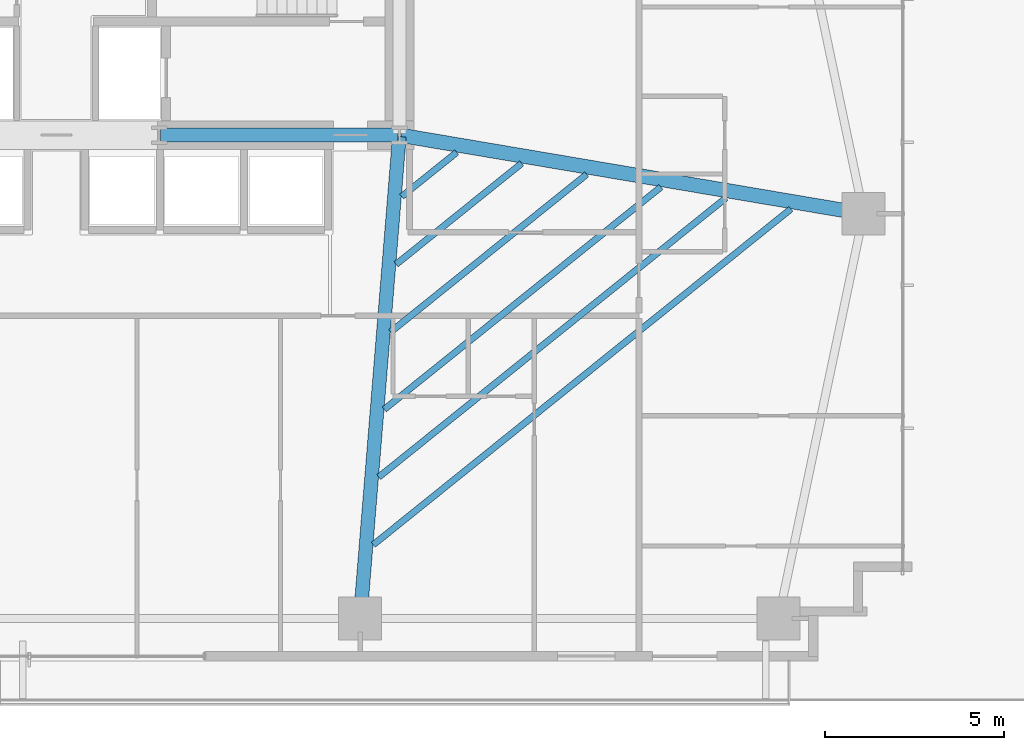
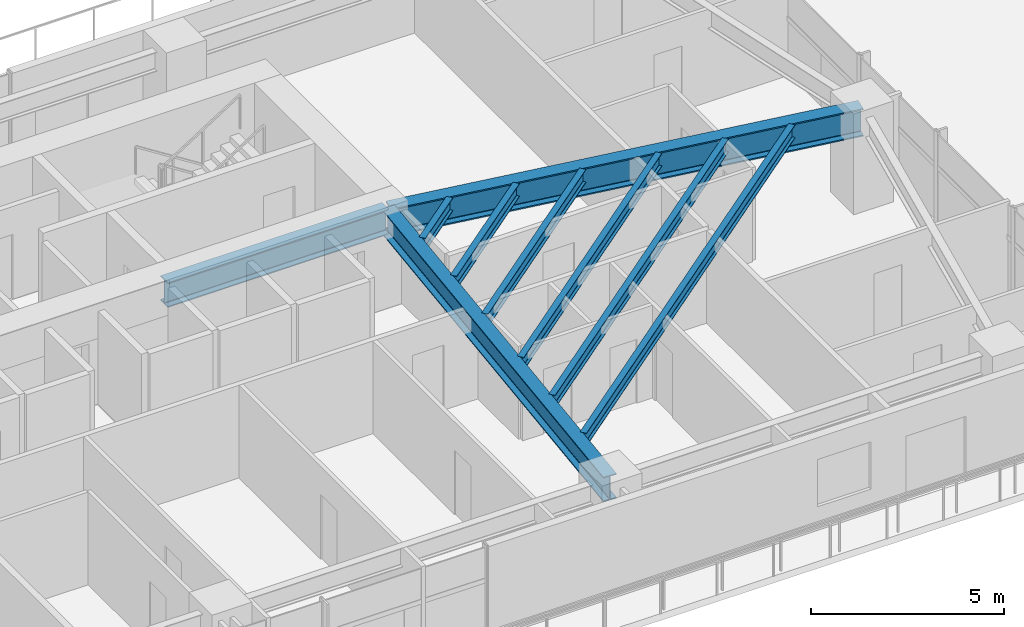
# One storey, part 13 of 26: 9 beams.
"""IFC4 building model written with IfcOpenShell, lengths in metres."""

from ifc_helpers import new_model, si_unit, direction, frame, origin, origin_2d, place, context, subcontext, project, spatial, i_section, extrude, source, transform, mapped, material, material_profile, profile_set, type_object, type_shapes, element, save


model = new_model("IFC4")

# Units and contexts
model_context = context("Model", 3, precision=1e-05, world=origin(), true_north=direction((0.0, 1.0)))
body_context = subcontext(model_context, "Body", "Model", "MODEL_VIEW")
ifc_project = project(units=[si_unit("LENGTHUNIT", "METRE"), si_unit("AREAUNIT", "SQUARE_METRE"), si_unit("VOLUMEUNIT", "CUBIC_METRE"), si_unit("PLANEANGLEUNIT", "RADIAN"), si_unit("MASSUNIT", "GRAM", prefix="KILO")], contexts=[model_context])

# Site, building, storey
site_placement = place(None, origin())
site = spatial("IfcSite", under=ifc_project, at=site_placement, CompositionType="ELEMENT")
building_placement = place(site_placement, origin())
building = spatial("IfcBuilding", under=site, at=building_placement, Name="Astriad Promenade Condominiums", CompositionType="ELEMENT")
storey_placement = place(building_placement, frame((0.0, 0.0, 23.0)))
storey = spatial("IfcBuildingStorey", under=building, at=storey_placement, Name="L05", CompositionType="ELEMENT", Elevation=23.0)

# Beams
ifc_material = material(Name="Steel ASTM A992 Grade 50", Category="steel")
ifc_material_profile_1 = material_profile(ifc_material, i_section(OverallWidth=0.3837890625, OverallDepth=0.785888671875, WebThickness=0.019775390625, FlangeThickness=0.033447265625, FilletRadius=0.021484375, at=origin_2d()), Name="W30X211")
ifc_profile_set_1 = profile_set([ifc_material_profile_1], Name="Steel ASTM A992 Grade 50")
beam_type_1 = type_object("IfcBeamType", Name="STEEL FLOOR GIRDER W30X211", PredefinedType="BEAM", material=ifc_profile_set_1)
shared_shape_1 = source(origin(), body_context, "Body", "SweptSolid", [
    extrude(i_section(OverallWidth=0.3837890625, OverallDepth=0.785888671875, WebThickness=0.019775390625, FlangeThickness=0.033447265625, FilletRadius=0.021484375, at=origin_2d()), origin(), (0.0, 0.0, 1.0), 6.64013671875),
])
beam_1_placement = place(storey_placement, frame((38.919921875, 17.39990234375, 2.547119140625), z_axis=(1.0, 0.0, 0.0), x_axis=(0.0, 1.0, 0.0)))
element("IfcBeam", 1, at=beam_1_placement, inside=storey, type_object=beam_type_1, Name="Core Ring Beam CG-S3-L05", PredefinedType="BEAM", context=body_context, shape_type="MappedRepresentation", body=[
    mapped(shared_shape_1, transform((0.0, 0.0, 0.0), scale=1.0)),
])
shared_shape_2 = source(origin(), body_context, "Body", "SweptSolid", [
    extrude(i_section(OverallWidth=0.3837890625, OverallDepth=0.785888671875, WebThickness=0.019775390625, FlangeThickness=0.033447265625, FilletRadius=0.021484375, at=origin_2d()), origin(), (0.0, 0.0, 1.0), 13.484619140625),
])
type_shapes(beam_type_1, [shared_shape_1, shared_shape_2])
beam_2_placement = place(storey_placement, frame((44.503173828125, 3.919921875, 2.547119140625), z_axis=(0.081092961134, 0.996706542396, 0.0), x_axis=(-0.996706542396, 0.081092961134, 0.0)))
element("IfcBeam", 2, at=beam_2_placement, inside=storey, type_object=beam_type_1, Name="Primary Floor Girder PG-E2-L05", PredefinedType="BEAM", context=body_context, shape_type="MappedRepresentation", body=[
    mapped(shared_shape_2, transform((0.0, 0.0, 0.0), scale=1.0)),
])
ifc_material_profile_2 = material_profile(ifc_material, i_section(OverallWidth=0.4013671875, OverallDepth=0.877197265625, WebThickness=0.022216796875, FlangeThickness=0.039794921875, FilletRadius=0.02294921875, at=origin_2d()), Name="W33X263")
ifc_profile_set_2 = profile_set([ifc_material_profile_2], Name="Steel ASTM A992 Grade 50")
beam_type_2 = type_object("IfcBeamType", Name="STEEL PRIMARY GIRDER W33X263", PredefinedType="BEAM", material=ifc_profile_set_2)
shared_shape_3 = source(origin(), body_context, "Body", "SweptSolid", [
    extrude(i_section(OverallWidth=0.4013671875, OverallDepth=0.877197265625, WebThickness=0.022216796875, FlangeThickness=0.039794921875, FilletRadius=0.02294921875, at=origin_2d()), origin(), (0.0, 0.0, 1.0), 13.085205078125),
])
type_shapes(beam_type_2, [shared_shape_3])
beam_3_placement = place(storey_placement, frame((58.54052734375, 15.206787109375, 2.50146484375), z_axis=(-0.985939912267, 0.167100237577, 0.0), x_axis=(-0.167100237577, -0.985939912267, 0.0)))
element("IfcBeam", 3, at=beam_3_placement, inside=storey, type_object=beam_type_2, Name="Primary Floor Girder PG-EM-L05", PredefinedType="BEAM", context=body_context, shape_type="MappedRepresentation", body=[
    mapped(shared_shape_3, transform((0.0, 0.0, 0.0), scale=1.0)),
])
ifc_material_profile_3 = material_profile(ifc_material, i_section(OverallWidth=0.180908203125, OverallDepth=0.417236328125, WebThickness=0.010986328125, FlangeThickness=0.018310546875, FilletRadius=0.013916015625, at=origin_2d()), Name="W16X57")
ifc_profile_set_3 = profile_set([ifc_material_profile_3], Name="Steel ASTM A992 Grade 50")
beam_type_3 = type_object("IfcBeamType", Name="STEEL FLOOR JOIST W16X57", PredefinedType="JOIST", material=ifc_profile_set_3)
shared_shape_4 = source(origin(), body_context, "Body", "SweptSolid", [
    extrude(i_section(OverallWidth=0.180908203125, OverallDepth=0.417236328125, WebThickness=0.010986328125, FlangeThickness=0.018310546875, FilletRadius=0.013916015625, at=origin_2d()), origin(), (0.0, 0.0, 1.0), 14.984375),
])
beam_4_placement = place(storey_placement, frame((44.867919921875, 5.944580078125, 2.7314453125), z_axis=(0.77934368876, 0.626596692291, 0.0), x_axis=(-0.626596692291, 0.77934368876, 0.0)))
element("IfcBeam", 4, at=beam_4_placement, inside=storey, type_object=beam_type_3, Name="Secondary Composite Floor Joist JE1-1-L05", PredefinedType="JOIST", context=body_context, shape_type="MappedRepresentation", body=[
    mapped(shared_shape_4, transform((0.0, 0.0, 0.0), scale=1.0)),
])
shared_shape_5 = source(origin(), body_context, "Body", "SweptSolid", [
    extrude(i_section(OverallWidth=0.180908203125, OverallDepth=0.417236328125, WebThickness=0.010986328125, FlangeThickness=0.018310546875, FilletRadius=0.013916015625, at=origin_2d()), origin(), (0.0, 0.0, 1.0), 12.455078125),
])
beam_5_placement = place(storey_placement, frame((45.021728515625, 7.83740234375, 2.7314453125), z_axis=(0.77935577594, 0.626581658292, 0.0), x_axis=(-0.626581658292, 0.77935577594, 0.0)))
element("IfcBeam", 5, at=beam_5_placement, inside=storey, type_object=beam_type_3, Name="Secondary Composite Floor Joist JE1-2-L05", PredefinedType="JOIST", context=body_context, shape_type="MappedRepresentation", body=[
    mapped(shared_shape_5, transform((0.0, 0.0, 0.0), scale=1.0)),
])
shared_shape_6 = source(origin(), body_context, "Body", "SweptSolid", [
    extrude(i_section(OverallWidth=0.180908203125, OverallDepth=0.417236328125, WebThickness=0.010986328125, FlangeThickness=0.018310546875, FilletRadius=0.013916015625, at=origin_2d()), origin(), (0.0, 0.0, 1.0), 9.926025390625),
])
beam_6_placement = place(storey_placement, frame((45.17578125, 9.730224609375, 2.7314453125), z_axis=(0.779352355084, 0.626585913203, 0.0), x_axis=(-0.626585913203, 0.779352355084, 0.0)))
element("IfcBeam", 6, at=beam_6_placement, inside=storey, type_object=beam_type_3, Name="Secondary Composite Floor Joist JE1-3-L05", PredefinedType="JOIST", context=body_context, shape_type="MappedRepresentation", body=[
    mapped(shared_shape_6, transform((0.0, 0.0, 0.0), scale=1.0)),
])
shared_shape_7 = source(origin(), body_context, "Body", "SweptSolid", [
    extrude(i_section(OverallWidth=0.180908203125, OverallDepth=0.417236328125, WebThickness=0.010986328125, FlangeThickness=0.018310546875, FilletRadius=0.013916015625, at=origin_2d()), origin(), (0.0, 0.0, 1.0), 7.03515625),
])
beam_7_placement = place(storey_placement, frame((45.351806640625, 11.8935546875, 2.7314453125), z_axis=(0.779349752639, 0.626589150131, 0.0), x_axis=(-0.626589150131, 0.779349752639, 0.0)))
element("IfcBeam", 7, at=beam_7_placement, inside=storey, type_object=beam_type_3, Name="Secondary Composite Floor Joist JE1-4-L05", PredefinedType="JOIST", context=body_context, shape_type="MappedRepresentation", body=[
    mapped(shared_shape_7, transform((0.0, 0.0, 0.0), scale=1.0)),
])
shared_shape_8 = source(origin(), body_context, "Body", "SweptSolid", [
    extrude(i_section(OverallWidth=0.180908203125, OverallDepth=0.417236328125, WebThickness=0.010986328125, FlangeThickness=0.018310546875, FilletRadius=0.013916015625, at=origin_2d()), origin(), (0.0, 0.0, 1.0), 4.505859375),
])
beam_8_placement = place(storey_placement, frame((45.505859375, 13.786376953125, 2.7314453125), z_axis=(0.779365294733, 0.626569818429, 0.0), x_axis=(-0.626569818429, 0.779365294733, 0.0)))
element("IfcBeam", 8, at=beam_8_placement, inside=storey, type_object=beam_type_3, Name="Secondary Composite Floor Joist JE1-5-L05", PredefinedType="JOIST", context=body_context, shape_type="MappedRepresentation", body=[
    mapped(shared_shape_8, transform((0.0, 0.0, 0.0), scale=1.0)),
])
shared_shape_9 = source(origin(), body_context, "Body", "SweptSolid", [
    extrude(i_section(OverallWidth=0.180908203125, OverallDepth=0.417236328125, WebThickness=0.010986328125, FlangeThickness=0.018310546875, FilletRadius=0.013916015625, at=origin_2d()), origin(), (0.0, 0.0, 1.0), 1.9765625),
])
type_shapes(beam_type_3, [shared_shape_4, shared_shape_5, shared_shape_6, shared_shape_7, shared_shape_8, shared_shape_9])
beam_9_placement = place(storey_placement, frame((45.659912109375, 15.67919921875, 2.7314453125), z_axis=(0.77936029648, 0.626576035506, 0.0), x_axis=(-0.626576035506, 0.77936029648, 0.0)))
element("IfcBeam", 9, at=beam_9_placement, inside=storey, type_object=beam_type_3, Name="Secondary Composite Floor Joist JE1-6-L05", PredefinedType="JOIST", context=body_context, shape_type="MappedRepresentation", body=[
    mapped(shared_shape_9, transform((0.0, 0.0, 0.0), scale=1.0)),
])

save(model, "model.ifc")
